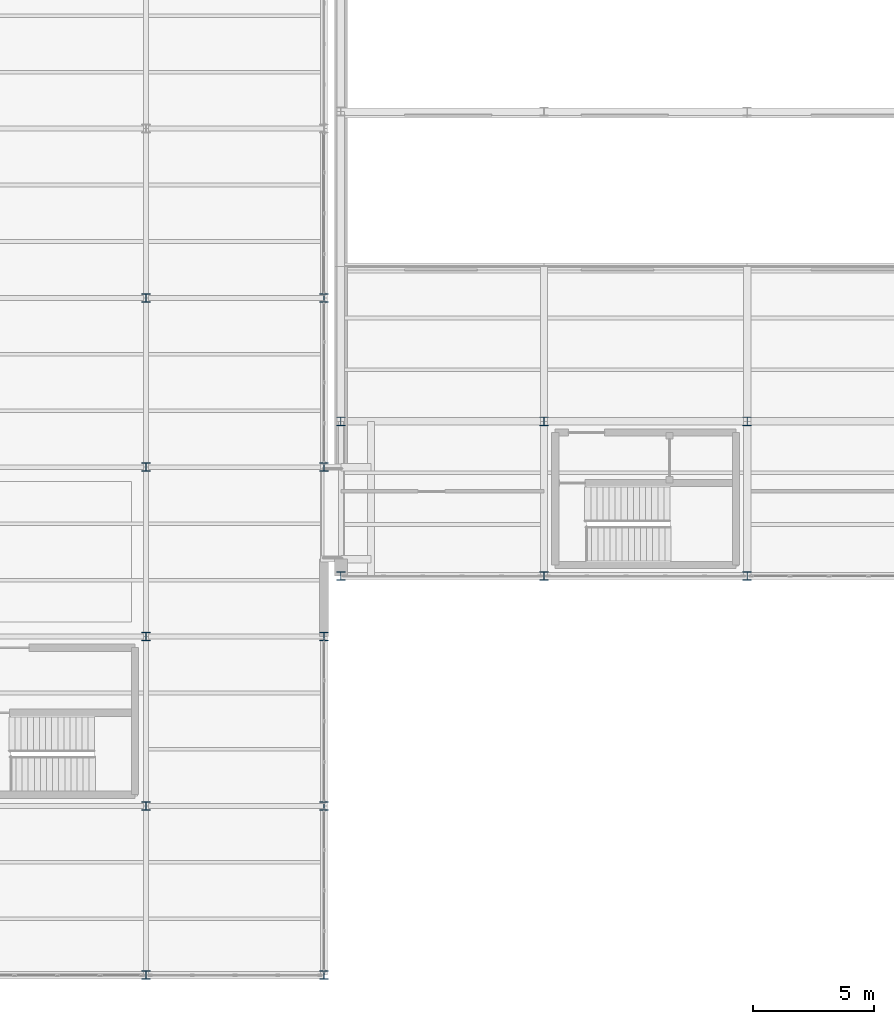
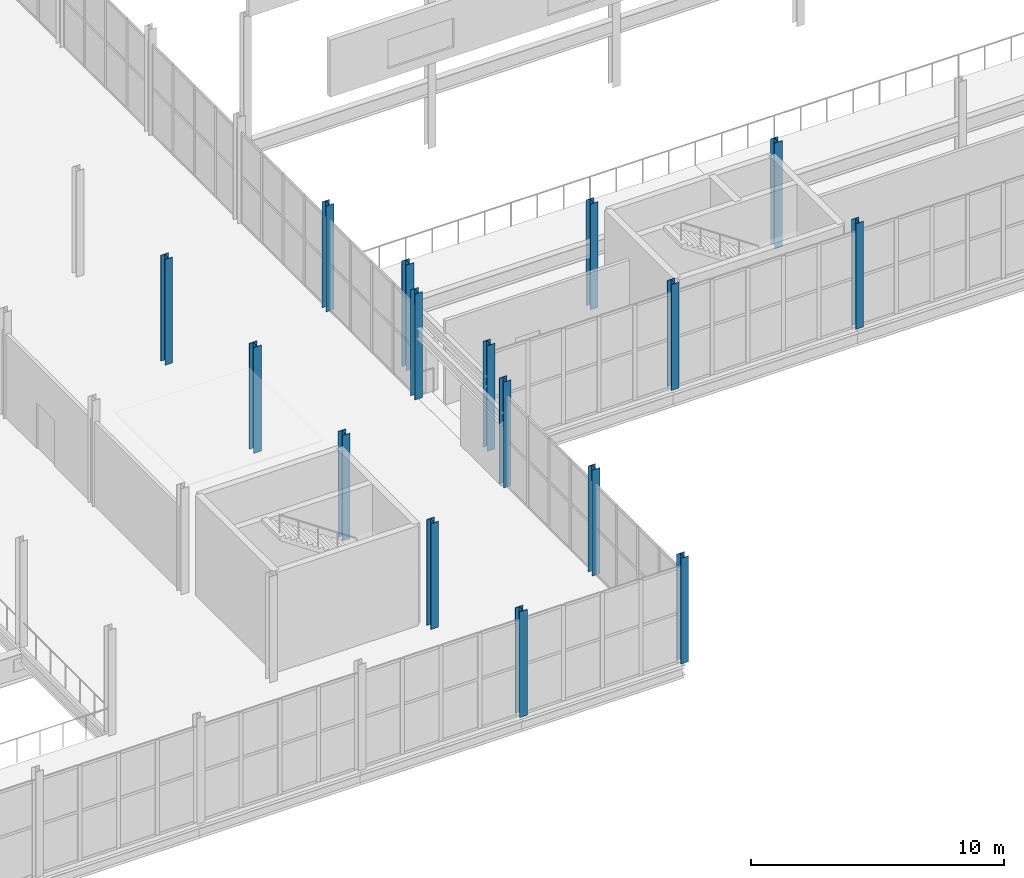
# One storey, part 2 of 218: 16 columns.
"""IFC4 building model written with IfcOpenShell, lengths in metres."""

from ifc_helpers import new_model, si_unit, direction, frame, origin, origin_2d, place, context, subcontext, project, spatial, i_section, extrude, material, material_profile, profile_set, type_object, element, save


model = new_model("IFC4")

# Units and contexts
model_context = context("Model", 3, precision=1e-05, world=origin(), true_north=direction((0.0, 1.0)))
body_context = subcontext(model_context, "Body", "Model", "MODEL_VIEW")
ifc_project = project(units=[si_unit("LENGTHUNIT", "METRE"), si_unit("AREAUNIT", "SQUARE_METRE"), si_unit("VOLUMEUNIT", "CUBIC_METRE"), si_unit("PLANEANGLEUNIT", "RADIAN"), si_unit("MASSUNIT", "GRAM", prefix="KILO")], contexts=[model_context])

# Site, building, storey
site_placement = place(None, origin())
site = spatial("IfcSite", under=ifc_project, at=site_placement, CompositionType="ELEMENT")
building_placement = place(site_placement, origin())
building = spatial("IfcBuilding", under=site, at=building_placement, Name="Kazenagashi Tramway Depot", CompositionType="ELEMENT")
storey_placement = place(building_placement, frame((0.0, 0.0, 6.0)))
storey = spatial("IfcBuildingStorey", under=building, at=storey_placement, Name="L02", CompositionType="ELEMENT", Elevation=6.0)

# Columns
ifc_material = material(Name="Steel SN490B", Category="steel")
ifc_material_profile = material_profile(ifc_material, i_section(OverallWidth=0.35, OverallDepth=0.35, WebThickness=0.012, FlangeThickness=0.019, at=origin_2d()), Name="H-350x350x12x19")
ifc_profile_set = profile_set([ifc_material_profile], Name="Steel SN490B")
column_type = type_object("IfcColumnType", Name="C-04", PredefinedType="COLUMN", material=ifc_profile_set)
for number, where, z_axis, x_axis, name in (
    (1, (44.8, 16.5, 0.0), (0.0, 0.0, 1.0), (1.0, 0.0, 0.0), "Column C-04 COL-0145"),
    (2, (44.8, 22.9, 0.0), (0.0, 0.0, 1.0), (1.0, 0.0, 0.0), "Column C-04 COL-0149"),
    (3, (53.2, 16.5, 0.0), (0.0, 0.0, 1.0), (1.0, 0.0, 0.0), "Column C-04 COL-0162"),
    (4, (53.2, 22.9, 0.0), (0.0, 0.0, 1.0), (1.0, 0.0, 0.0), "Column C-04 COL-0166"),
    (5, (61.6, 16.5, 0.0), (0.0, 0.0, 1.0), (1.0, 0.0, 0.0), "Column C-04 COL-0179"),
    (6, (61.6, 22.9, 0.0), (0.0, 0.0, 1.0), (1.0, 0.0, 0.0), "Column C-04 COL-0183"),
    (7, (36.75, 0.0, 0.0), (0.0, 0.0, 1.0), (1.0, 0.0, 0.0), "Column C-04 COL-0749"),
    (8, (36.75, 7.0, 0.0), (0.0, 0.0, 1.0), (1.0, 0.0, 0.0), "Column C-04 COL-0753"),
    (9, (36.75, 14.0, 0.0), (0.0, 0.0, 1.0), (1.0, 0.0, 0.0), "Column C-04 COL-0757"),
    (10, (36.75, 21.0, 0.0), (0.0, 0.0, 1.0), (1.0, 0.0, 0.0), "Column C-04 COL-0761"),
    (11, (36.75, 28.0, 0.0), (0.0, 0.0, 1.0), (1.0, 0.0, 0.0), "Column C-04 COL-0765"),
    (12, (44.1, 0.0, 0.0), (0.0, 0.0, 1.0), (1.0, 0.0, 0.0), "Column C-04 COL-0787"),
    (13, (44.1, 7.0, 0.0), (0.0, 0.0, 1.0), (1.0, 0.0, 0.0), "Column C-04 COL-0789"),
    (14, (44.1, 14.0, 0.0), (0.0, 0.0, 1.0), (1.0, 0.0, 0.0), "Column C-04 COL-0791"),
    (15, (44.1, 21.0, 0.0), (0.0, 0.0, 1.0), (1.0, 0.0, 0.0), "Column C-04 COL-0793"),
    (16, (44.1, 28.0, 0.0), (0.0, 0.0, 1.0), (1.0, 0.0, 0.0), "Column C-04 COL-0795"),
):
    element("IfcColumn", number, at=place(storey_placement, frame(where, z_axis=z_axis, x_axis=x_axis)), inside=storey, type_object=column_type, Name=name, PredefinedType="COLUMN", context=body_context, shape_type="SweptSolid", body=[
        extrude(i_section(OverallWidth=0.35, OverallDepth=0.35, WebThickness=0.012, FlangeThickness=0.019, at=origin_2d()), origin(), (0.0, 0.0, 1.0), 5.1),
    ])

save(model, "model.ifc")
